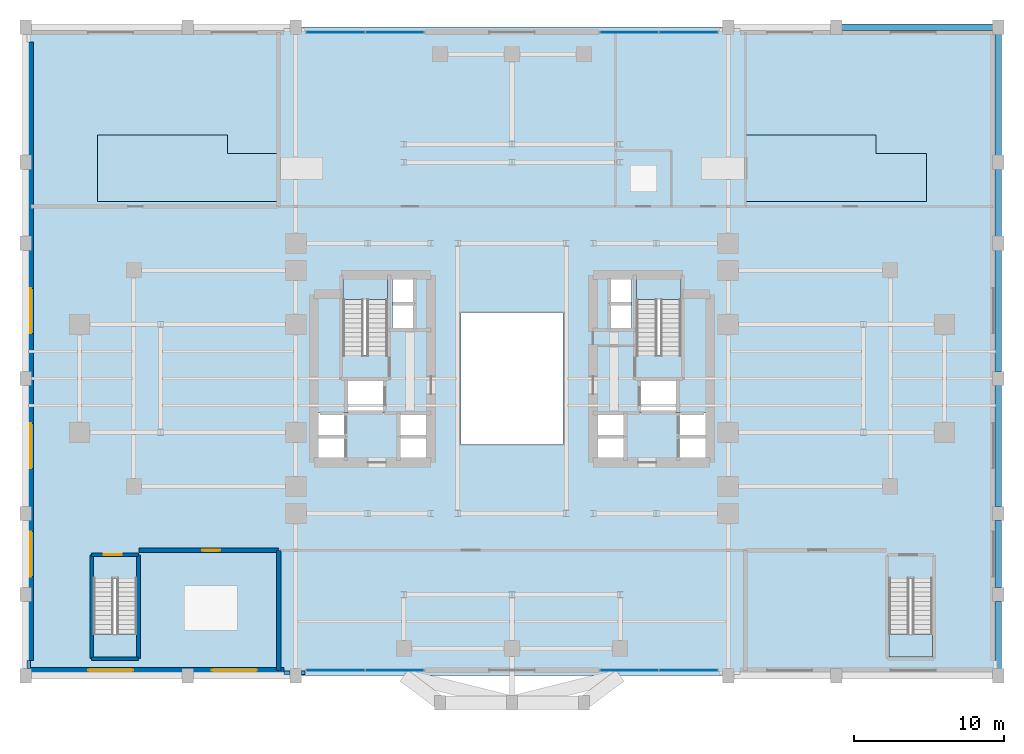
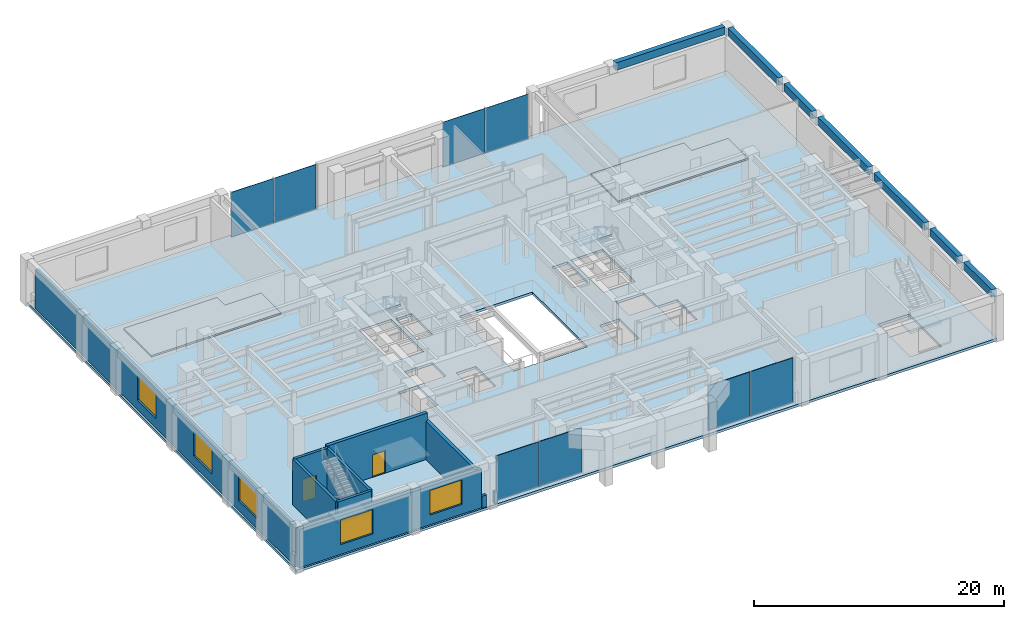
# One storey, part 9 of 14: 11 walls, 8 plates, 7 beams, 7 slabs, 5 windows, 2 doors, 7 openings, 8 elements without a shape of their own.
"""IFC4 building model written with IfcOpenShell, lengths in metres."""

from ifc_helpers import new_model, si_unit, direction, frame, frame_2d, origin, origin_2d, place, context, subcontext, project, spatial, polyline, rectangle, outline, extrude, source, transform, mapped, material, layer, layer_set, material_profile, profile_set, type_object, element, fill, aggregate, save


model = new_model("IFC4")

# Units and contexts
model_context = context("Model", 3, precision=1e-05, world=origin(), true_north=direction((0.0, 1.0)))
body_context = subcontext(model_context, "Body", "Model", "MODEL_VIEW")
ifc_project = project(units=[si_unit("LENGTHUNIT", "METRE"), si_unit("AREAUNIT", "SQUARE_METRE"), si_unit("VOLUMEUNIT", "CUBIC_METRE"), si_unit("PLANEANGLEUNIT", "RADIAN"), si_unit("MASSUNIT", "GRAM", prefix="KILO")], contexts=[model_context])

# Site, building, storey
site_placement = place(None, origin())
site = spatial("IfcSite", under=ifc_project, at=site_placement, CompositionType="ELEMENT")
building_placement = place(site_placement, origin())
building = spatial("IfcBuilding", under=site, at=building_placement, Name="Keilestroom Media Tower", CompositionType="ELEMENT")
storey_placement = place(building_placement, frame((0.0, 0.0, 5.39990234375)))
storey = spatial("IfcBuildingStorey", under=building, at=storey_placement, Name="L01", CompositionType="ELEMENT", Elevation=5.39990234375)

# Beams
ifc_material_1 = material(Name="Precast concrete C40/50", Category="concrete")
ifc_material_profile = material_profile(ifc_material_1, rectangle(XDim=0.449951171875, YDim=0.75, at=origin_2d()), Name="PC 450x750")
ifc_profile_set = profile_set([ifc_material_profile], Name="Precast concrete C40/50")
beam_type = type_object("IfcBeamType", Name="Perimeter-Spandrel-Beam-PC-450x750", PredefinedType="SPANDREL", material=ifc_profile_set)
shared_shape_1 = source(origin(), body_context, "Body", "SweptSolid", [
    extrude(rectangle(XDim=0.449951171875, YDim=0.75, at=origin_2d()), origin(), (0.0, 0.0, 1.0), 10.08984375),
])
beam_1_placement = place(storey_placement, frame((21.955078125, 23.39990234375, 4.14501953125), z_axis=(1.0, 0.0, 0.0), x_axis=(0.0, 1.0, 0.0)))
element("IfcBeam", 1, at=beam_1_placement, inside=storey, type_object=beam_type, Name="L01 Beam SPB-1 BM-L01-EW-044", PredefinedType="SPANDREL", context=body_context, shape_type="MappedRepresentation", body=[
    mapped(shared_shape_1, transform((0.0, 0.0, 0.0), x_axis=(1.0, 0.0, 0.0), y_axis=(0.0, 1.0, 0.0), z_axis=(0.0, 0.0, 1.0), scale=1.0)),
])
shared_shape_2 = source(origin(), body_context, "Body", "SweptSolid", [
    extrude(rectangle(XDim=0.449951171875, YDim=0.75, at=origin_2d()), origin(), (0.0, 0.0, 1.0), 4.489990234375),
])
for number, where, z_axis, x_axis, name in (
    (2, (32.39990234375, -19.344970703125, 4.14501953125), (0.0, 1.0, 0.0), (-1.0, 0.0, 0.0), "L01 Beam SPB-1 BM-L01-NS-085"),
    (3, (32.39990234375, -13.945068359375, 4.14501953125), (0.0, 1.0, 0.0), (-1.0, 0.0, 0.0), "L01 Beam SPB-1 BM-L01-NS-086"),
    (4, (32.39990234375, 9.455078125, 4.14501953125), (0.0, 1.0, 0.0), (-1.0, 0.0, 0.0), "L01 Beam SPB-1 BM-L01-NS-089"),
):
    element("IfcBeam", number, at=place(storey_placement, frame(where, z_axis=z_axis, x_axis=x_axis)), inside=storey, type_object=beam_type, Name=name, PredefinedType="SPANDREL", context=body_context, shape_type="MappedRepresentation", body=[
        mapped(shared_shape_2, transform((0.0, 0.0, 0.0), x_axis=(1.0, 0.0, 0.0), y_axis=(0.0, 1.0, 0.0), z_axis=(0.0, 0.0, 1.0), scale=1.0)),
    ])
shared_shape_3 = source(origin(), body_context, "Body", "SweptSolid", [
    extrude(rectangle(XDim=0.449951171875, YDim=0.75, at=origin_2d()), origin(), (0.0, 0.0, 1.0), 8.08984375),
])
for number, where, z_axis, x_axis, name in (
    (5, (32.39990234375, -8.544921875, 4.14501953125), (0.0, 1.0, 0.0), (-1.0, 0.0, 0.0), "L01 Beam SPB-1 BM-L01-NS-087"),
    (6, (32.39990234375, 0.455078125, 4.14501953125), (0.0, 1.0, 0.0), (-1.0, 0.0, 0.0), "L01 Beam SPB-1 BM-L01-NS-088"),
):
    element("IfcBeam", number, at=place(storey_placement, frame(where, z_axis=z_axis, x_axis=x_axis)), inside=storey, type_object=beam_type, Name=name, PredefinedType="SPANDREL", context=body_context, shape_type="MappedRepresentation", body=[
        mapped(shared_shape_3, transform((0.0, 0.0, 0.0), x_axis=(1.0, 0.0, 0.0), y_axis=(0.0, 1.0, 0.0), z_axis=(0.0, 0.0, 1.0), scale=1.0)),
    ])
shared_shape_4 = source(origin(), body_context, "Body", "SweptSolid", [
    extrude(rectangle(XDim=0.449951171875, YDim=0.75, at=origin_2d()), origin(), (0.0, 0.0, 1.0), 8.090087890625),
])
beam_2_placement = place(storey_placement, frame((32.39990234375, 14.85498046875, 4.14501953125), z_axis=(0.0, 1.0, 0.0), x_axis=(-1.0, 0.0, 0.0)))
element("IfcBeam", 7, at=beam_2_placement, inside=storey, type_object=beam_type, Name="L01 Beam SPB-1 BM-L01-NS-090", PredefinedType="SPANDREL", context=body_context, shape_type="MappedRepresentation", body=[
    mapped(shared_shape_4, transform((0.0, 0.0, 0.0), x_axis=(1.0, 0.0, 0.0), y_axis=(0.0, 1.0, 0.0), z_axis=(0.0, 0.0, 1.0), scale=1.0)),
])

# Slabs
ifc_material_2 = material(Name="Concrete C50/60", Category="concrete")
ifc_layer_1 = layer(ifc_material_2, 0.25)
ifc_layer_set_1 = layer_set([ifc_layer_1], Name="Concrete C50/60")
slab_type_1 = type_object("IfcSlabType", Name="Composite-Floor-Slab-250", PredefinedType="FLOOR", material=ifc_layer_set_1)
slab_1_placement = place(storey_placement, frame((0.0, 0.0, -0.25)))
element("IfcSlab", 8, at=slab_1_placement, inside=storey, type_object=slab_type_1, Name="L01 Structural Composite Floor Slab", PredefinedType="FLOOR", context=body_context, shape_type="SweptSolid", body=[
    extrude(outline(polyline([(-32.39990234375, -19.800048828125), (32.39990234375, -19.800048828125), (32.39990234375, 23.39990234375), (-32.39990234375, 23.39990234375), (-32.39990234375, -19.800048828125)]), holes=[polyline([(-27.8798828125, -18.550048828125), (-27.8798828125, -13.3349609375), (-25.0, -13.3349609375), (-25.0, -18.550048828125), (-27.8798828125, -18.550048828125)]), polyline([(-12.919921875, -5.47998046875), (-12.919921875, -2.320068359375), (-11.080078125, -2.320068359375), (-11.080078125, -5.47998046875), (-12.919921875, -5.47998046875)]), polyline([(-11.260009765625, 6.760009765625), (-8.300048828125, 6.760009765625), (-8.300048828125, 1.544921875), (-11.260009765625, 1.544921875), (-11.260009765625, 6.760009765625)]), polyline([(-11.050048828125, -2.280029296875), (-11.050048828125, -0.10009765625), (-8.47998046875, -0.10009765625), (-8.47998046875, -2.280029296875), (-11.050048828125, -2.280029296875)]), polyline([(-7.949951171875, 6.64990234375), (-6.47998046875, 6.64990234375), (-6.47998046875, 3.300048828125), (-7.949951171875, 3.300048828125), (-7.949951171875, 6.64990234375)]), polyline([(-5.719970703125, -5.47998046875), (-7.56005859375, -5.47998046875), (-7.56005859375, -2.320068359375), (-5.719970703125, -2.320068359375), (-5.719970703125, -5.47998046875)]), polyline([(-3.39990234375, -4.39990234375), (-3.39990234375, 4.39990234375), (3.39990234375, 4.39990234375), (3.39990234375, -4.39990234375), (-3.39990234375, -4.39990234375)]), polyline([(7.56005859375, -2.320068359375), (7.56005859375, -5.47998046875), (5.719970703125, -5.47998046875), (5.719970703125, -2.320068359375), (7.56005859375, -2.320068359375)]), polyline([(7.949951171875, 6.64990234375), (7.949951171875, 3.300048828125), (6.47998046875, 3.300048828125), (6.47998046875, 6.64990234375), (7.949951171875, 6.64990234375)]), polyline([(8.300048828125, 6.760009765625), (11.260009765625, 6.760009765625), (11.260009765625, 1.544921875), (8.300048828125, 1.544921875), (8.300048828125, 6.760009765625)]), polyline([(8.47998046875, -2.280029296875), (8.47998046875, -0.10009765625), (11.050048828125, -0.10009765625), (11.050048828125, -2.280029296875), (8.47998046875, -2.280029296875)]), polyline([(11.080078125, -2.320068359375), (12.919921875, -2.320068359375), (12.919921875, -5.47998046875), (11.080078125, -5.47998046875), (11.080078125, -2.320068359375)]), polyline([(25.1201171875, -18.550048828125), (25.1201171875, -13.3349609375), (28.0, -13.3349609375), (28.0, -18.550048828125), (25.1201171875, -18.550048828125)])]), origin(), (0.0, 0.0, 1.0), 0.25),
])
ifc_material_3 = material(Name="Concrete C45/55", Category="concrete")
ifc_layer_2 = layer(ifc_material_3, 0.14990234375)
ifc_layer_set_2 = layer_set([ifc_layer_2], Name="Concrete C45/55")
slab_type_2 = type_object("IfcSlabType", Name="Floating-Studio-Floor-Slab-150", PredefinedType="FLOOR", material=ifc_layer_set_2)
slab_2_placement = place(storey_placement, origin())
element("IfcSlab", 9, at=slab_2_placement, inside=storey, type_object=slab_type_2, Name="L01 Acoustic Floating Studio Slab ST-RAD-W", PredefinedType="FLOOR", context=body_context, shape_type="SweptSolid", body=[
    extrude(outline(polyline([(-27.60009765625, 11.800048828125), (-15.60009765625, 11.800048828125), (-15.60009765625, 14.968017578125), (-18.9599609375, 14.968017578125), (-18.9599609375, 16.199951171875), (-27.60009765625, 16.199951171875), (-27.60009765625, 11.800048828125)])), origin(), (0.0, 0.0, 1.0), 0.150146484375),
])
slab_3_placement = place(storey_placement, origin())
element("IfcSlab", 10, at=slab_3_placement, inside=storey, type_object=slab_type_2, Name="L01 Acoustic Floating Studio Slab ST-RAD-E", PredefinedType="FLOOR", context=body_context, shape_type="SweptSolid", body=[
    extrude(outline(polyline([(15.60009765625, 11.800048828125), (27.60009765625, 11.800048828125), (27.60009765625, 14.968017578125), (24.239990234375, 14.968017578125), (24.239990234375, 16.199951171875), (15.60009765625, 16.199951171875), (15.60009765625, 11.800048828125)])), origin(), (0.0, 0.0, 1.0), 0.150146484375),
])

# Stair, slab
stair_type_1 = type_object("IfcStairType", Name="Enclosed-Dog-Leg-Stair-ST-CORE", PredefinedType="HALF_TURN_STAIR", material=ifc_material_3)
stair_1_placement = place(storey_placement, origin())
stair_1 = element("IfcStair", 11, at=stair_1_placement, inside=storey, type_object=stair_type_1, Name="L01 West Core Escape Stair ST-1", PredefinedType="HALF_TURN_STAIR")
ifc_layer_3 = layer(ifc_material_3, 0.199951171875)
ifc_layer_set_3 = layer_set([ifc_layer_3], Name="Concrete C45/55")
slab_type_3 = type_object("IfcSlabType", Name="Stair-Intermediate-And-Top-Landing-Slab-200", PredefinedType="LANDING", material=ifc_layer_set_3)
slab_4_placement = place(storey_placement, frame((0.0, 0.0, 2.2001953125)))
slab_4 = element("IfcSlab", 12, at=slab_4_placement, type_object=slab_type_3, Name="ST-1 landing 1", PredefinedType="LANDING", context=body_context, shape_type="SweptSolid", body=[
    extrude(outline(polyline([(-8.300048828125, 5.243896484375), (-8.300048828125, 6.760009765625), (-11.260009765625, 6.760009765625), (-11.260009765625, 5.243896484375), (-8.300048828125, 5.243896484375)])), origin(), (0.0, 0.0, 1.0), 0.199951171875),
])
aggregate(stair_1, [slab_4])

stair_2_placement = place(storey_placement, origin())
stair_2 = element("IfcStair", 13, at=stair_2_placement, inside=storey, type_object=stair_type_1, Name="L01 East Core Escape Stair ST-2", PredefinedType="HALF_TURN_STAIR")
slab_5_placement = place(storey_placement, frame((0.0, 0.0, 2.2001953125)))
slab_5 = element("IfcSlab", 14, at=slab_5_placement, type_object=slab_type_3, Name="ST-2 landing 1", PredefinedType="LANDING", context=body_context, shape_type="SweptSolid", body=[
    extrude(outline(polyline([(11.260009765625, 5.243896484375), (11.260009765625, 6.760009765625), (8.300048828125, 6.760009765625), (8.300048828125, 5.243896484375), (11.260009765625, 5.243896484375)])), origin(), (0.0, 0.0, 1.0), 0.199951171875),
])
aggregate(stair_2, [slab_5])

stair_type_2 = type_object("IfcStairType", Name="Enclosed-Dog-Leg-Stair-ST-POD", PredefinedType="HALF_TURN_STAIR", material=ifc_material_3)
stair_3_placement = place(storey_placement, origin())
stair_3 = element("IfcStair", 15, at=stair_3_placement, inside=storey, type_object=stair_type_2, Name="L01 Podium West Studio Escape Stair ST-3", PredefinedType="HALF_TURN_STAIR")
slab_6_placement = place(storey_placement, frame((0.0, 0.0, 2.2001953125)))
slab_6 = element("IfcSlab", 16, at=slab_6_placement, type_object=slab_type_3, Name="ST-3 landing 1", PredefinedType="LANDING", context=body_context, shape_type="SweptSolid", body=[
    extrude(outline(polyline([(-27.8798828125, -17.033935546875), (-27.8798828125, -18.550048828125), (-25.0, -18.550048828125), (-25.0, -17.033935546875), (-27.8798828125, -17.033935546875)])), origin(), (0.0, 0.0, 1.0), 0.199951171875),
])
aggregate(stair_3, [slab_6])

stair_4_placement = place(storey_placement, origin())
stair_4 = element("IfcStair", 17, at=stair_4_placement, inside=storey, type_object=stair_type_2, Name="L01 Podium East Studio Escape Stair ST-4", PredefinedType="HALF_TURN_STAIR")
slab_7_placement = place(storey_placement, frame((0.0, 0.0, 2.2001953125)))
slab_7 = element("IfcSlab", 18, at=slab_7_placement, type_object=slab_type_3, Name="ST-4 landing 1", PredefinedType="LANDING", context=body_context, shape_type="SweptSolid", body=[
    extrude(outline(polyline([(25.1201171875, -17.033935546875), (25.1201171875, -18.550048828125), (28.0, -18.550048828125), (28.0, -17.033935546875), (25.1201171875, -17.033935546875)])), origin(), (0.0, 0.0, 1.0), 0.199951171875),
])
aggregate(stair_4, [slab_7])

# Curtain wall, plates
ifc_material_4 = material(Name="Anodised Aluminium Alloy", Category="aluminium")
curtain_wall_type = type_object("IfcCurtainWallType", Name="Unitised-Curtain-Wall-CW-7", PredefinedType="NOTDEFINED", material=ifc_material_4)
curtain_wall_1_placement = place(storey_placement, origin())
curtain_wall_1 = element("IfcCurtainWall", 19, at=curtain_wall_1_placement, inside=storey, type_object=curtain_wall_type, Name="L01 Curtain Wall CW-7 CW-L01-S-ATR", PredefinedType="NOTDEFINED")
ifc_material_5 = material(Name="Clear Structural Low-Iron Lobby Glazing", Category="glass")
ifc_layer_4 = layer(ifc_material_5, 0.0458984375)
ifc_layer_set_4 = layer_set([ifc_layer_4], Name="Clear Structural Low-Iron Lobby Glazing")
plate_type = type_object("IfcPlateType", Name="Insulated-Curtain-Wall-Glazing-Panel-CW-7", PredefinedType="CURTAIN_PANEL", material=ifc_layer_set_4)
shared_shape_5 = source(origin(), body_context, "Body", "SweptSolid", [
    extrude(rectangle(XDim=3.89306640625, YDim=0.0458984375, at=origin_2d()), origin(), (0.0, 0.0, 1.0), 4.3740234375),
])
plate_1_placement = place(storey_placement, frame((-11.767578125, -19.449951171875, 0.072998046875), z_axis=(0.0, 0.0, 1.0), x_axis=(1.0, 0.0, 0.0)))
plate_1 = element("IfcPlate", 20, at=plate_1_placement, type_object=plate_type, Name="CW-7 Unitised Glazing 00", PredefinedType="CURTAIN_PANEL", context=body_context, shape_type="MappedRepresentation", body=[
    mapped(shared_shape_5, transform((0.0, 0.0, 0.0), x_axis=(1.0, 0.0, 0.0), y_axis=(0.0, 1.0, 0.0), z_axis=(0.0, 0.0, 1.0), scale=1.0)),
])
plate_2_placement = place(storey_placement, frame((-7.8125, -19.449951171875, 0.072998046875), z_axis=(0.0, 0.0, 1.0), x_axis=(1.0, 0.0, 0.0)))
plate_2 = element("IfcPlate", 21, at=plate_2_placement, type_object=plate_type, Name="CW-7 Unitised Glazing 01", PredefinedType="CURTAIN_PANEL", context=body_context, shape_type="MappedRepresentation", body=[
    mapped(shared_shape_5, transform((0.0, 0.0, 0.0), x_axis=(1.0, 0.0, 0.0), y_axis=(0.0, 1.0, 0.0), z_axis=(0.0, 0.0, 1.0), scale=1.0)),
])
aggregate(curtain_wall_1, [plate_1, plate_2])

curtain_wall_2_placement = place(storey_placement, origin())
curtain_wall_2 = element("IfcCurtainWall", 22, at=curtain_wall_2_placement, inside=storey, type_object=curtain_wall_type, Name="L01 Curtain Wall CW-7 CW-L01-S-ATE", PredefinedType="NOTDEFINED")
plate_3_placement = place(storey_placement, frame((7.8125, -19.449951171875, 0.072998046875), z_axis=(0.0, 0.0, 1.0), x_axis=(1.0, 0.0, 0.0)))
plate_3 = element("IfcPlate", 23, at=plate_3_placement, type_object=plate_type, Name="CW-7 Unitised Glazing 00", PredefinedType="CURTAIN_PANEL", context=body_context, shape_type="MappedRepresentation", body=[
    mapped(shared_shape_5, transform((0.0, 0.0, 0.0), x_axis=(1.0, 0.0, 0.0), y_axis=(0.0, 1.0, 0.0), z_axis=(0.0, 0.0, 1.0), scale=1.0)),
])
plate_4_placement = place(storey_placement, frame((11.767578125, -19.449951171875, 0.072998046875), z_axis=(0.0, 0.0, 1.0), x_axis=(1.0, 0.0, 0.0)))
plate_4 = element("IfcPlate", 24, at=plate_4_placement, type_object=plate_type, Name="CW-7 Unitised Glazing 01", PredefinedType="CURTAIN_PANEL", context=body_context, shape_type="MappedRepresentation", body=[
    mapped(shared_shape_5, transform((0.0, 0.0, 0.0), x_axis=(1.0, 0.0, 0.0), y_axis=(0.0, 1.0, 0.0), z_axis=(0.0, 0.0, 1.0), scale=1.0)),
])
aggregate(curtain_wall_2, [plate_3, plate_4])

curtain_wall_3_placement = place(storey_placement, origin())
curtain_wall_3 = element("IfcCurtainWall", 25, at=curtain_wall_3_placement, inside=storey, type_object=curtain_wall_type, Name="L01 Curtain Wall CW-7 CW-L01-N-ATW", PredefinedType="NOTDEFINED")
plate_5_placement = place(storey_placement, frame((-11.767578125, 23.050048828125, 0.072998046875), z_axis=(0.0, 0.0, 1.0), x_axis=(1.0, 0.0, 0.0)))
plate_5 = element("IfcPlate", 26, at=plate_5_placement, type_object=plate_type, Name="CW-7 Unitised Glazing 00", PredefinedType="CURTAIN_PANEL", context=body_context, shape_type="MappedRepresentation", body=[
    mapped(shared_shape_5, transform((0.0, 0.0, 0.0), x_axis=(1.0, 0.0, 0.0), y_axis=(0.0, 1.0, 0.0), z_axis=(0.0, 0.0, 1.0), scale=1.0)),
])
plate_6_placement = place(storey_placement, frame((-7.8125, 23.050048828125, 0.072998046875), z_axis=(0.0, 0.0, 1.0), x_axis=(1.0, 0.0, 0.0)))
plate_6 = element("IfcPlate", 27, at=plate_6_placement, type_object=plate_type, Name="CW-7 Unitised Glazing 01", PredefinedType="CURTAIN_PANEL", context=body_context, shape_type="MappedRepresentation", body=[
    mapped(shared_shape_5, transform((0.0, 0.0, 0.0), x_axis=(1.0, 0.0, 0.0), y_axis=(0.0, 1.0, 0.0), z_axis=(0.0, 0.0, 1.0), scale=1.0)),
])
aggregate(curtain_wall_3, [plate_5, plate_6])

curtain_wall_4_placement = place(storey_placement, origin())
curtain_wall_4 = element("IfcCurtainWall", 28, at=curtain_wall_4_placement, inside=storey, type_object=curtain_wall_type, Name="L01 Curtain Wall CW-7 CW-L01-N-ATE", PredefinedType="NOTDEFINED")
plate_7_placement = place(storey_placement, frame((7.8125, 23.050048828125, 0.072998046875), z_axis=(0.0, 0.0, 1.0), x_axis=(1.0, 0.0, 0.0)))
plate_7 = element("IfcPlate", 29, at=plate_7_placement, type_object=plate_type, Name="CW-7 Unitised Glazing 00", PredefinedType="CURTAIN_PANEL", context=body_context, shape_type="MappedRepresentation", body=[
    mapped(shared_shape_5, transform((0.0, 0.0, 0.0), x_axis=(1.0, 0.0, 0.0), y_axis=(0.0, 1.0, 0.0), z_axis=(0.0, 0.0, 1.0), scale=1.0)),
])
plate_8_placement = place(storey_placement, frame((11.767578125, 23.050048828125, 0.072998046875), z_axis=(0.0, 0.0, 1.0), x_axis=(1.0, 0.0, 0.0)))
plate_8 = element("IfcPlate", 30, at=plate_8_placement, type_object=plate_type, Name="CW-7 Unitised Glazing 01", PredefinedType="CURTAIN_PANEL", context=body_context, shape_type="MappedRepresentation", body=[
    mapped(shared_shape_5, transform((0.0, 0.0, 0.0), x_axis=(1.0, 0.0, 0.0), y_axis=(0.0, 1.0, 0.0), z_axis=(0.0, 0.0, 1.0), scale=1.0)),
])
aggregate(curtain_wall_4, [plate_7, plate_8])

# Wall, opening, door
ifc_layer_5 = layer(ifc_material_3, 0.300048828125)
ifc_layer_set_5 = layer_set([ifc_layer_5], Name="Concrete C45/55")
wall_type_1 = type_object("IfcWallType", Name="Acoustic-Studio-Isolation-Wall-300", PredefinedType="SOLIDWALL", material=ifc_layer_set_5)
wall_1_placement = place(storey_placement, frame((-24.840087890625, -11.449951171875, 0.0), z_axis=(0.0, 0.0, 1.0), x_axis=(1.0, 0.0, 0.0)))
wall_1 = element("IfcWall", 31, at=wall_1_placement, inside=storey, type_object=wall_type_1, Name="L01 Interior Wall WP-L01-STD-SW-N", PredefinedType="SOLIDWALL", context=body_context, shape_type="SweptSolid", body=[
    extrude(rectangle(XDim=9.2900390625, YDim=0.300048828125, at=frame_2d((4.64501953125, 0.0))), origin(), (0.0, 0.0, 1.0), 4.52001953125),
])
opening_1_placement = place(wall_1_placement, frame((4.199951171875, 0.0, 0.0)))
opening_1 = element("IfcOpeningElement", 32, at=opening_1_placement, cuts=wall_1, Name="Opening DI-02", PredefinedType="OPENING", context=body_context, shape_type="SweptSolid", body=[
    extrude(rectangle(XDim=1.199951171875, YDim=2.199951171875, at=frame_2d((0.60009765625, 1.10009765625))), frame((0.0, 0.16015625, 0.0), z_axis=(0.0, -1.0, 0.0), x_axis=(1.0, 0.0, 0.0)), (0.0, 0.0, 1.0), 0.320068359375),
])
ifc_material_6 = material(Name="Powder-Coated Steel Fire Leaf", Category="steel")
door_type_1 = type_object("IfcDoorType", Name="Interior-Compartment-Fire-Door-DI-02", OperationType="NOTDEFINED", PredefinedType="DOOR", material=ifc_material_6)
shared_shape_6 = source(origin(), body_context, "Body", "SweptSolid", [
    extrude(rectangle(XDim=1.199951171875, YDim=2.199951171875, at=frame_2d((0.60009765625, 1.10009765625))), frame((0.0, 0.02490234375, 0.0), z_axis=(0.0, -1.0, 0.0), x_axis=(1.0, 0.0, 0.0)), (0.0, 0.0, 1.0), 0.050048828125),
])
door_1_placement = place(opening_1_placement, origin())
door_1 = element("IfcDoor", 33, at=door_1_placement, inside=storey, type_object=door_type_1, Name="L01 Interior Door DI-L01-STD-SW-D", OperationType="SINGLE_SWING_LEFT", OverallHeight=2.199951171875, OverallWidth=1.199951171875, PredefinedType="DOOR", context=body_context, shape_type="MappedRepresentation", body=[
    mapped(shared_shape_6, transform((0.0, 0.0, 0.0), x_axis=(1.0, 0.0, 0.0), y_axis=(0.0, 1.0, 0.0), z_axis=(0.0, 0.0, 1.0), scale=1.0)),
])
fill(opening_1, door_1)

# Wall
wall_2_placement = place(storey_placement, frame((-15.550048828125, -19.449951171875, 0.0), z_axis=(0.0, 0.0, 1.0), x_axis=(0.0, 1.0, 0.0)))
element("IfcWall", 34, at=wall_2_placement, inside=storey, type_object=wall_type_1, Name="L01 Interior Wall WP-L01-STD-SW-E", PredefinedType="SOLIDWALL", context=body_context, shape_type="SweptSolid", body=[
    extrude(rectangle(XDim=8.0, YDim=0.300048828125, at=frame_2d((4.0, 0.0))), origin(), (0.0, 0.0, 1.0), 3.77001953125),
])

# Wall, openings, windows
ifc_layer_6 = layer(ifc_material_1, 0.3798828125)
ifc_layer_set_6 = layer_set([ifc_layer_6], Name="Precast concrete C40/50")
wall_type_2 = type_object("IfcWallType", Name="Exterior-Masonry-Spandrel-Wall-380", PredefinedType="SOLIDWALL", material=ifc_layer_set_6)
wall_3_placement = place(storey_placement, frame((-32.050048828125, -19.449951171875, 0.0), z_axis=(0.0, 0.0, 1.0), x_axis=(1.0, 0.0, 0.0)))
wall_3 = element("IfcWall", 35, at=wall_3_placement, inside=storey, type_object=wall_type_2, Name="L01 Podium Precast Masonry Wall EWL-L01-S-W", PredefinedType="SOLIDWALL", context=body_context, shape_type="SweptSolid", body=[
    extrude(rectangle(XDim=16.85009765625, YDim=0.3798828125, at=frame_2d((8.425048828125, 0.0))), origin(), (0.0, 0.0, 1.0), 3.77001953125),
])
opening_2_placement = place(wall_3_placement, frame((3.81201171875, 0.0, 0.949951171875)))
opening_2 = element("IfcOpeningElement", 36, at=opening_2_placement, cuts=wall_3, Name="Opening WN-05", PredefinedType="OPENING", context=body_context, shape_type="SweptSolid", body=[
    extrude(rectangle(XDim=3.0, YDim=2.39990234375, at=frame_2d((1.5, 1.199951171875))), frame((0.0, 0.199951171875, 0.0), z_axis=(0.0, -1.0, 0.0), x_axis=(1.0, 0.0, 0.0)), (0.0, 0.0, 1.0), 0.39990234375),
])
opening_3_placement = place(wall_3_placement, frame((12.06201171875, 0.0, 0.949951171875)))
opening_3 = element("IfcOpeningElement", 37, at=opening_3_placement, cuts=wall_3, Name="Opening WN-05", PredefinedType="OPENING", context=body_context, shape_type="SweptSolid", body=[
    extrude(rectangle(XDim=3.0, YDim=2.39990234375, at=frame_2d((1.5, 1.199951171875))), frame((0.0, 0.199951171875, 0.0), z_axis=(0.0, -1.0, 0.0), x_axis=(1.0, 0.0, 0.0)), (0.0, 0.0, 1.0), 0.39990234375),
])
ifc_material_7 = material(Name="Acoustic Studio Observation Window", Category="glass")
window_type = type_object("IfcWindowType", Name="Recessed-Punched-Window-WN-05", PartitioningType="TRIPLE_PANEL_VERTICAL", PredefinedType="WINDOW", material=ifc_material_7)
shared_shape_7 = source(origin(), body_context, "Body", "SweptSolid", [
    extrude(rectangle(XDim=3.0, YDim=2.39990234375, at=frame_2d((1.5, 1.199951171875))), frame((0.0, 0.030029296875, 0.0), z_axis=(0.0, -1.0, 0.0), x_axis=(1.0, 0.0, 0.0)), (0.0, 0.0, 1.0), 0.06005859375),
])
window_1_placement = place(opening_2_placement, origin())
window_1 = element("IfcWindow", 38, at=window_1_placement, inside=storey, type_object=window_type, Name="L01 Window WN-05 EWL-L01-S-W-1", OverallHeight=2.39990234375, OverallWidth=3.0, PartitioningType="SINGLE_PANEL", PredefinedType="WINDOW", context=body_context, shape_type="MappedRepresentation", body=[
    mapped(shared_shape_7, transform((0.0, 0.0, 0.0), x_axis=(1.0, 0.0, 0.0), y_axis=(0.0, 1.0, 0.0), z_axis=(0.0, 0.0, 1.0), scale=1.0)),
])
fill(opening_2, window_1)
window_2_placement = place(opening_3_placement, origin())
window_2 = element("IfcWindow", 39, at=window_2_placement, inside=storey, type_object=window_type, Name="L01 Window WN-05 EWL-L01-S-W-2", OverallHeight=2.39990234375, OverallWidth=3.0, PartitioningType="SINGLE_PANEL", PredefinedType="WINDOW", context=body_context, shape_type="MappedRepresentation", body=[
    mapped(shared_shape_7, transform((0.0, 0.0, 0.0), x_axis=(1.0, 0.0, 0.0), y_axis=(0.0, 1.0, 0.0), z_axis=(0.0, 0.0, 1.0), scale=1.0)),
])
fill(opening_3, window_2)

wall_4_placement = place(storey_placement, frame((-32.050048828125, -18.800048828125, 0.0), z_axis=(0.0, 0.0, 1.0), x_axis=(0.0, 1.0, 0.0)))
wall_4 = element("IfcWall", 40, at=wall_4_placement, inside=storey, type_object=wall_type_2, Name="L01 Podium Precast Masonry Wall EWL-L01-W-M", PredefinedType="SOLIDWALL", context=body_context, shape_type="SweptSolid", body=[
    extrude(rectangle(XDim=41.199951171875, YDim=0.3798828125, at=frame_2d((20.60009765625, 0.0))), origin(), (0.0, 0.0, 1.0), 3.77001953125),
])
opening_4_placement = place(wall_4_placement, frame((5.60009765625, 0.0, 0.949951171875)))
opening_4 = element("IfcOpeningElement", 41, at=opening_4_placement, cuts=wall_4, Name="Opening WN-05", PredefinedType="OPENING", context=body_context, shape_type="SweptSolid", body=[
    extrude(rectangle(XDim=3.0, YDim=2.39990234375, at=frame_2d((1.5, 1.199951171875))), frame((0.0, 0.199951171875, 0.0), z_axis=(0.0, -1.0, 0.0), x_axis=(1.0, 0.0, 0.0)), (0.0, 0.0, 1.0), 0.39990234375),
])
opening_5_placement = place(wall_4_placement, frame((12.800048828125, 0.0, 0.949951171875)))
opening_5 = element("IfcOpeningElement", 42, at=opening_5_placement, cuts=wall_4, Name="Opening WN-05", PredefinedType="OPENING", context=body_context, shape_type="SweptSolid", body=[
    extrude(rectangle(XDim=3.0, YDim=2.39990234375, at=frame_2d((1.5, 1.199951171875))), frame((0.0, 0.199951171875, 0.0), z_axis=(0.0, -1.0, 0.0), x_axis=(1.0, 0.0, 0.0)), (0.0, 0.0, 1.0), 0.39990234375),
])
opening_6_placement = place(wall_4_placement, frame((21.800048828125, 0.0, 0.949951171875)))
opening_6 = element("IfcOpeningElement", 43, at=opening_6_placement, cuts=wall_4, Name="Opening WN-05", PredefinedType="OPENING", context=body_context, shape_type="SweptSolid", body=[
    extrude(rectangle(XDim=3.0, YDim=2.39990234375, at=frame_2d((1.5, 1.199951171875))), frame((0.0, 0.199951171875, 0.0), z_axis=(0.0, -1.0, 0.0), x_axis=(1.0, 0.0, 0.0)), (0.0, 0.0, 1.0), 0.39990234375),
])
window_3_placement = place(opening_4_placement, origin())
window_3 = element("IfcWindow", 44, at=window_3_placement, inside=storey, type_object=window_type, Name="L01 Window WN-05 EWL-L01-W-M-1", OverallHeight=2.39990234375, OverallWidth=3.0, PartitioningType="SINGLE_PANEL", PredefinedType="WINDOW", context=body_context, shape_type="MappedRepresentation", body=[
    mapped(shared_shape_7, transform((0.0, 0.0, 0.0), x_axis=(1.0, 0.0, 0.0), y_axis=(0.0, 1.0, 0.0), z_axis=(0.0, 0.0, 1.0), scale=1.0)),
])
fill(opening_4, window_3)
window_4_placement = place(opening_5_placement, origin())
window_4 = element("IfcWindow", 45, at=window_4_placement, inside=storey, type_object=window_type, Name="L01 Window WN-05 EWL-L01-W-M-2", OverallHeight=2.39990234375, OverallWidth=3.0, PartitioningType="SINGLE_PANEL", PredefinedType="WINDOW", context=body_context, shape_type="MappedRepresentation", body=[
    mapped(shared_shape_7, transform((0.0, 0.0, 0.0), x_axis=(1.0, 0.0, 0.0), y_axis=(0.0, 1.0, 0.0), z_axis=(0.0, 0.0, 1.0), scale=1.0)),
])
fill(opening_5, window_4)
window_5_placement = place(opening_6_placement, origin())
window_5 = element("IfcWindow", 46, at=window_5_placement, inside=storey, type_object=window_type, Name="L01 Window WN-05 EWL-L01-W-M-3", OverallHeight=2.39990234375, OverallWidth=3.0, PartitioningType="SINGLE_PANEL", PredefinedType="WINDOW", context=body_context, shape_type="MappedRepresentation", body=[
    mapped(shared_shape_7, transform((0.0, 0.0, 0.0), x_axis=(1.0, 0.0, 0.0), y_axis=(0.0, 1.0, 0.0), z_axis=(0.0, 0.0, 1.0), scale=1.0)),
])
fill(opening_6, window_5)

# Walls
ifc_layer_7 = layer(ifc_material_2, 0.25)
ifc_layer_set_7 = layer_set([ifc_layer_7], Name="Concrete C50/60")
wall_type_3 = type_object("IfcWallType", Name="Reinforced-Concrete-Shaft-Wall-250", PredefinedType="SOLIDWALL", material=ifc_layer_set_7)
for number, where, z_axis, x_axis, name in (
    (47, (-28.0009765625, -18.6708984375, 0.0), (0.0, 0.0, 1.0), (0.0, 1.0, 0.0), "L01 Core Shear Wall WL-L01-ST-3-W"),
    (48, (-24.87890625, -18.6708984375, 0.0), (0.0, 0.0, 1.0), (0.0, 1.0, 0.0), "L01 Core Shear Wall WL-L01-ST-3-E"),
):
    element("IfcWall", number, at=place(storey_placement, frame(where, z_axis=z_axis, x_axis=x_axis)), inside=storey, type_object=wall_type_3, Name=name, PredefinedType="SOLIDWALL", context=body_context, shape_type="SweptSolid", body=[
        extrude(rectangle(XDim=6.921875, YDim=0.25, at=frame_2d((3.4609375, 0.0))), origin(), (0.0, 0.0, 1.0), 4.52001953125),
    ])
wall_5_placement = place(storey_placement, frame((-28.0009765625, -18.6708984375, 0.0), z_axis=(0.0, 0.0, 1.0), x_axis=(1.0, 0.0, 0.0)))
element("IfcWall", 49, at=wall_5_placement, inside=storey, type_object=wall_type_3, Name="L01 Core Shear Wall WL-L01-ST-3-S", PredefinedType="SOLIDWALL", context=body_context, shape_type="SweptSolid", body=[
    extrude(rectangle(XDim=3.1220703125, YDim=0.25, at=frame_2d((1.56103515625, 0.0))), origin(), (0.0, 0.0, 1.0), 4.52001953125),
])

# Wall, opening, door
wall_6_placement = place(storey_placement, frame((-28.0009765625, -11.7490234375, 0.0), z_axis=(0.0, 0.0, 1.0), x_axis=(1.0, 0.0, 0.0)))
wall_6 = element("IfcWall", 50, at=wall_6_placement, inside=storey, type_object=wall_type_3, Name="L01 Core Shear Wall WL-L01-ST-3-N", PredefinedType="SOLIDWALL", context=body_context, shape_type="SweptSolid", body=[
    extrude(rectangle(XDim=3.1220703125, YDim=0.25, at=frame_2d((1.56103515625, 0.0))), origin(), (0.0, 0.0, 1.0), 4.52001953125),
])
opening_7_placement = place(wall_6_placement, frame((0.800048828125, 0.0, 0.0)))
opening_7 = element("IfcOpeningElement", 51, at=opening_7_placement, cuts=wall_6, Name="Opening DI-01S", PredefinedType="OPENING", context=body_context, shape_type="SweptSolid", body=[
    extrude(rectangle(XDim=1.199951171875, YDim=2.199951171875, at=frame_2d((0.60009765625, 1.10009765625))), frame((0.0, 0.135009765625, 0.0), z_axis=(0.0, -1.0, 0.0), x_axis=(1.0, 0.0, 0.0)), (0.0, 0.0, 1.0), 0.27001953125),
])
door_type_2 = type_object("IfcDoorType", Name="Interior-Stair-And-Core-Fire-Door-DI-01", OperationType="NOTDEFINED", PredefinedType="DOOR", material=ifc_material_6)
door_2_placement = place(opening_7_placement, origin())
door_2 = element("IfcDoor", 52, at=door_2_placement, inside=storey, type_object=door_type_2, Name="L01 Podium Stair ST-3 Fire Door", OperationType="SINGLE_SWING_LEFT", OverallHeight=2.199951171875, OverallWidth=1.199951171875, PredefinedType="DOOR", context=body_context, shape_type="MappedRepresentation", body=[
    mapped(shared_shape_6, transform((0.0, 0.0, 0.0), x_axis=(1.0, 0.0, 0.0), y_axis=(0.0, 1.0, 0.0), z_axis=(0.0, 0.0, 1.0), scale=1.0)),
])
fill(opening_7, door_2)

# Walls
ifc_layer_8 = layer(ifc_material_1, 0.239990234375)
ifc_layer_set_8 = layer_set([ifc_layer_8], Name="Precast concrete C40/50")
wall_type_4 = type_object("IfcWallType", Name="Roof-And-Terrace-Parapet-Wall-240", PredefinedType="PARAPET", material=ifc_layer_set_8)
wall_7_placement = place(storey_placement, frame((-32.199951171875, -19.322021484375, 0.0), z_axis=(0.0, 0.0, 1.0), x_axis=(0.0, 1.0, 0.0)))
element("IfcWall", 53, at=wall_7_placement, inside=storey, type_object=wall_type_4, Name="L01 Perimeter Edge Parapet Wall 01", PredefinedType="PARAPET", context=body_context, shape_type="SweptSolid", body=[
    extrude(rectangle(XDim=0.51904296875, YDim=0.239990234375, at=frame_2d((0.259521484375, 0.0))), origin(), (0.0, 0.0, 1.0), 1.150146484375),
])
wall_8_placement = place(storey_placement, frame((-13.782958984375, -19.60009765625, 0.0), z_axis=(0.0, 0.0, 1.0), x_axis=(-1.0, 0.0, 0.0)))
element("IfcWall", 54, at=wall_8_placement, inside=storey, type_object=wall_type_4, Name="L01 Perimeter Edge Parapet Wall 10", PredefinedType="PARAPET", context=body_context, shape_type="SweptSolid", body=[
    extrude(rectangle(XDim=0.239013671875, YDim=0.239990234375, at=frame_2d((0.11962890625, 0.0))), origin(), (0.0, 0.0, 1.0), 1.150146484375),
])
wall_9_placement = place(storey_placement, frame((-14.778076171875, -19.60009765625, 0.0), z_axis=(0.0, 0.0, 1.0), x_axis=(-1.0, 0.0, 0.0)))
element("IfcWall", 55, at=wall_9_placement, inside=storey, type_object=wall_type_4, Name="L01 Perimeter Edge Parapet Wall 11", PredefinedType="PARAPET", context=body_context, shape_type="SweptSolid", body=[
    extrude(rectangle(XDim=0.4189453125, YDim=0.239990234375, at=frame_2d((0.20947265625, 0.0))), origin(), (0.0, 0.0, 1.0), 1.150146484375),
])

save(model, "model.ifc")
